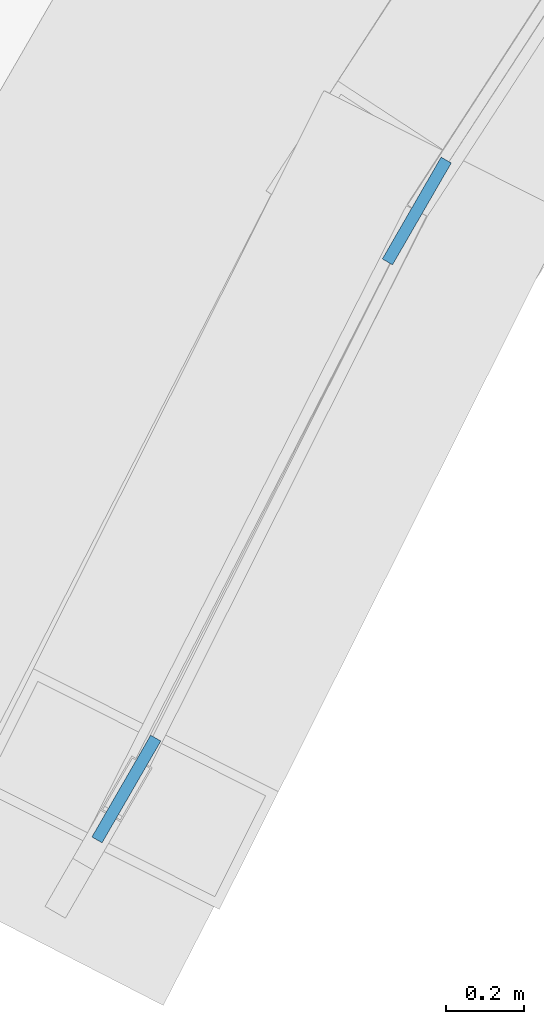
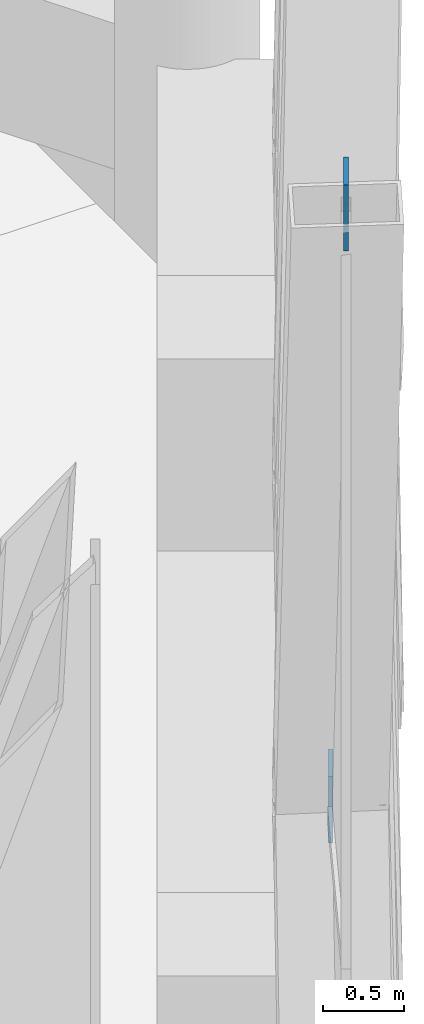
# One storey, part 17 of 21: 2 discrete accessories.
"""IFC4 building model written with IfcOpenShell, lengths in metres."""

from ifc_helpers import new_model, si_unit, direction, frame, origin, origin_2d, place, context, subcontext, project, spatial, rectangle, extrude, material, layer, layer_set, type_object, element, save


model = new_model("IFC4")

# Units and contexts
model_context = context("Model", 3, precision=1e-05, world=origin(), true_north=direction((0.0, 1.0)))
body_context = subcontext(model_context, "Body", "Model", "MODEL_VIEW")
ifc_project = project(units=[si_unit("LENGTHUNIT", "METRE"), si_unit("AREAUNIT", "SQUARE_METRE"), si_unit("VOLUMEUNIT", "CUBIC_METRE"), si_unit("PLANEANGLEUNIT", "RADIAN"), si_unit("MASSUNIT", "GRAM", prefix="KILO")], contexts=[model_context])

# Site, building, storey
site_placement = place(None, origin())
site = spatial("IfcSite", under=ifc_project, at=site_placement, CompositionType="ELEMENT")
building_placement = place(site_placement, origin())
building = spatial("IfcBuilding", under=site, at=building_placement, Name="Ostrander Bayou Hotel Tower", CompositionType="ELEMENT")
storey_placement = place(building_placement, frame((0.0, 0.0, 256.25)))
storey = spatial("IfcBuildingStorey", under=building, at=storey_placement, Name="L63", CompositionType="ELEMENT", Elevation=256.25)

# Discrete accessories
ifc_material = material(Name="Steel ASTM A572 Gr 50", Category="steel")
ifc_layer = layer(ifc_material, 0.030029296875)
ifc_layer_set = layer_set([ifc_layer], Name="GP1 gusset plate 30 mm")
discrete_accessory_type = type_object("IfcDiscreteAccessoryType", Name="GP1 gusset plate 30 mm", PredefinedType="BRACKET", material=ifc_layer_set)
for number, where, z_axis, x_axis, name in (
    (1, (12.44873046875, -13.386962890625, 4.77490234375), (0.0, 0.0, 1.0), (0.5, 0.866025403784, 0.0), "GP1 gusset plate lat 488"),
    (2, (11.70751953125, -14.862060546875, 10.39990234375), (0.0, 0.0, 1.0), (0.5, 0.866025403784, 0.0), "GP1 gusset plate lat 489"),
):
    element("IfcDiscreteAccessory", number, at=place(storey_placement, frame(where, z_axis=z_axis, x_axis=x_axis)), inside=storey, type_object=discrete_accessory_type, Name=name, PredefinedType="BRACKET", context=body_context, shape_type="SweptSolid", body=[
        extrude(rectangle(XDim=0.300048828125, YDim=0.030029296875, at=origin_2d()), origin(), (0.0, 0.0, 1.0), 0.5),
    ])

save(model, "model.ifc")
